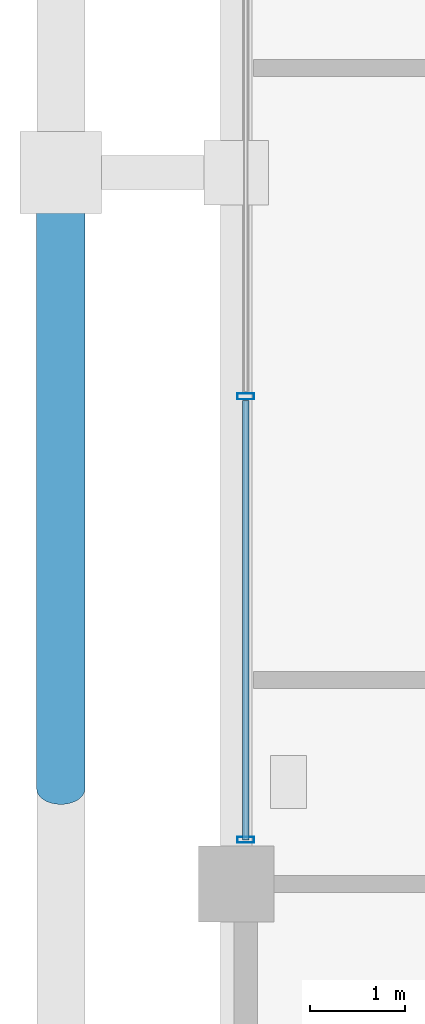
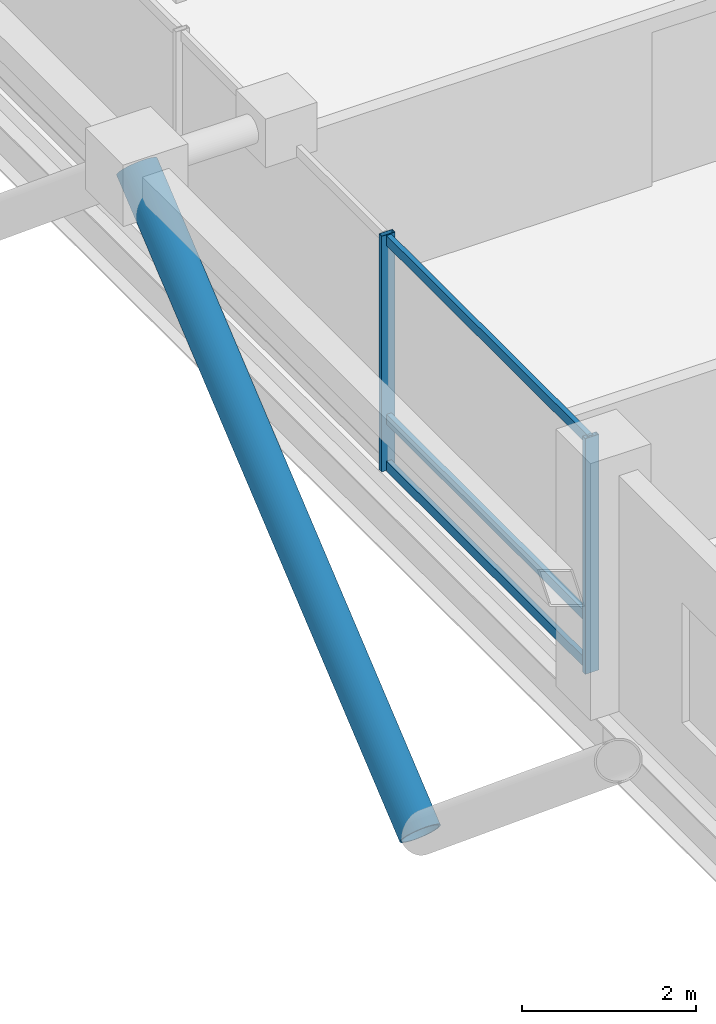
# One storey, part 5 of 25: 6 members, 1 element without a shape of its own.
"""IFC4 building model written with IfcOpenShell, lengths in metres."""

from ifc_helpers import new_model, si_unit, direction, frame, origin, origin_2d, place, context, subcontext, project, spatial, hollow_rectangle, hollow_circle, extrude, material, layer, layer_set, material_profile, profile_set, type_object, element, aggregate, save


model = new_model("IFC4")

# Units and contexts
model_context = context("Model", 3, precision=1e-05, world=origin(), true_north=direction((0.0, 1.0)))
body_context = subcontext(model_context, "Body", "Model", "MODEL_VIEW")
ifc_project = project(units=[si_unit("LENGTHUNIT", "METRE"), si_unit("AREAUNIT", "SQUARE_METRE"), si_unit("VOLUMEUNIT", "CUBIC_METRE"), si_unit("PLANEANGLEUNIT", "RADIAN"), si_unit("MASSUNIT", "GRAM", prefix="KILO")], contexts=[model_context])

# Site, building, storey
site_placement = place(None, origin())
site = spatial("IfcSite", under=ifc_project, at=site_placement, CompositionType="ELEMENT")
building_placement = place(site_placement, origin())
building = spatial("IfcBuilding", under=site, at=building_placement, Name="Barlavira Tower and Art Museum", CompositionType="ELEMENT")
storey_placement = place(building_placement, frame((0.0, 0.0, 162.0)))
storey = spatial("IfcBuildingStorey", under=building, at=storey_placement, Name="L41", CompositionType="ELEMENT", Elevation=162.0)

# Curtain wall, members
ifc_material_1 = material(Name="Low-iron coastal laminated glass", Category="glass")
ifc_layer = layer(ifc_material_1, 0.18994140625, Name="Low-iron coastal laminated glass")
ifc_layer_set = layer_set([ifc_layer], Name="Low-iron coastal laminated glass")
curtain_wall_type = type_object("IfcCurtainWallType", Name="Pale-Metal Unitised Curtain Wall Zone 2", PredefinedType="NOTDEFINED", material=ifc_layer_set)
curtain_wall_placement = place(storey_placement, origin())
curtain_wall = element("IfcCurtainWall", 1, at=curtain_wall_placement, inside=storey, type_object=curtain_wall_type, Name="L41 Curtain Wall CW2-L41-W-B3", PredefinedType="NOTDEFINED")
ifc_material_2 = material(Name="Pale anodised aluminium", Category="aluminium")
ifc_material_profile_1 = material_profile(ifc_material_2, hollow_rectangle(XDim=0.06494140625, YDim=0.179931640625, WallThickness=0.00390625, at=origin_2d()), Name="ALU-MULL 65x180x4")
ifc_profile_set_1 = profile_set([ifc_material_profile_1], Name="Pale anodised aluminium")
member_type_1 = type_object("IfcMemberType", Name="Curtain Wall Pale-Metal Mullion 65x180", PredefinedType="MULLION", material=ifc_profile_set_1)
member_1_placement = place(storey_placement, frame((-20.14990234375, -2.360107421875, 0.0), z_axis=(0.0, 0.0, 1.0), x_axis=(0.0, -1.0, 0.0)))
member_1 = element("IfcMember", 2, at=member_1_placement, type_object=member_type_1, Name="CW2-L41-W-B3 Mullion 2", PredefinedType="MULLION", context=body_context, shape_type="SweptSolid", body=[
    extrude(hollow_rectangle(XDim=0.06494140625, YDim=0.179931640625, WallThickness=0.00390625, at=origin_2d()), origin(), (0.0, 0.0, 1.0), 3.300048828125),
])
member_2_placement = place(storey_placement, frame((-20.14990234375, -7.034912109375, 0.0), z_axis=(0.0, 0.0, 1.0), x_axis=(0.0, -1.0, 0.0)))
member_2 = element("IfcMember", 3, at=member_2_placement, type_object=member_type_1, Name="CW2-L41-W-B3 Mullion 3", PredefinedType="MULLION", context=body_context, shape_type="SweptSolid", body=[
    extrude(hollow_rectangle(XDim=0.06494140625, YDim=0.179931640625, WallThickness=0.00390625, at=origin_2d()), origin(), (0.0, 0.0, 1.0), 3.300048828125),
])
ifc_material_profile_2 = material_profile(ifc_material_2, hollow_rectangle(XDim=0.06494140625, YDim=0.139892578125, WallThickness=0.00390625, at=origin_2d()), Name="ALU-TRAN 65x140x4")
ifc_profile_set_2 = profile_set([ifc_material_profile_2], Name="Pale anodised aluminium")
member_type_2 = type_object("IfcMemberType", Name="Curtain Wall Pale-Metal Transom 65x140", PredefinedType="USERDEFINED", material=ifc_profile_set_2)
member_3_placement = place(storey_placement, frame((-20.14990234375, -2.405029296875, 0.070068359375), z_axis=(0.0, -1.0, 0.0), x_axis=(1.0, 0.0, 0.0)))
member_3 = element("IfcMember", 4, at=member_3_placement, type_object=member_type_2, Name="CW2-L41-W-B3 Transom 2.1", ObjectType="TRANSOM", PredefinedType="USERDEFINED", context=body_context, shape_type="SweptSolid", body=[
    extrude(hollow_rectangle(XDim=0.06494140625, YDim=0.139892578125, WallThickness=0.00390625, at=origin_2d()), origin(), (0.0, 0.0, 1.0), 4.6298828125),
])
member_4_placement = place(storey_placement, frame((-20.14990234375, -2.405029296875, 0.72607421875), z_axis=(0.0, -1.0, 0.0), x_axis=(1.0, 0.0, 0.0)))
member_4 = element("IfcMember", 5, at=member_4_placement, type_object=member_type_2, Name="CW2-L41-W-B3 Transom 2.2", ObjectType="TRANSOM", PredefinedType="USERDEFINED", context=body_context, shape_type="SweptSolid", body=[
    extrude(hollow_rectangle(XDim=0.06494140625, YDim=0.139892578125, WallThickness=0.00390625, at=origin_2d()), origin(), (0.0, 0.0, 1.0), 4.6298828125),
])
member_5_placement = place(storey_placement, frame((-20.14990234375, -2.405029296875, 3.22998046875), z_axis=(0.0, -1.0, 0.0), x_axis=(1.0, 0.0, 0.0)))
member_5 = element("IfcMember", 6, at=member_5_placement, type_object=member_type_2, Name="CW2-L41-W-B3 Transom 2.3", ObjectType="TRANSOM", PredefinedType="USERDEFINED", context=body_context, shape_type="SweptSolid", body=[
    extrude(hollow_rectangle(XDim=0.06494140625, YDim=0.139892578125, WallThickness=0.00390625, at=origin_2d()), origin(), (0.0, 0.0, 1.0), 4.6298828125),
])
aggregate(curtain_wall, [member_1, member_2, member_3, member_4, member_5])

# Member
ifc_material_3 = material(Name="Steel S355", Category="steel")
ifc_material_profile_3 = material_profile(ifc_material_3, hollow_circle(Radius=0.25390625, WallThickness=0.022216796875, at=origin_2d()), Name="CHS 508.0x22.2")
ifc_profile_set_3 = profile_set([ifc_material_profile_3], Name="Steel S355")
member_type_3 = type_object("IfcMemberType", Name="Pale-Metal Exoskeleton Diagrid Tube CHS 508x22 Steel S355", PredefinedType="BRACE", material=ifc_profile_set_3)
member_6_placement = place(storey_placement, frame((-22.10009765625, -6.5, -1.919921875), z_axis=(0.0, 0.769196053329, 0.639012857104), x_axis=(-1.0, 0.0, 0.0)))
element("IfcMember", 7, at=member_6_placement, inside=storey, type_object=member_type_3, Name="L41 Exoskeleton Diagrid Tube W", PredefinedType="BRACE", context=body_context, shape_type="SweptSolid", body=[
    extrude(hollow_circle(Radius=0.25390625, WallThickness=0.022216796875, at=origin_2d()), origin(), (0.0, 0.0, 1.0), 8.450439453125),
])

save(model, "model.ifc")
